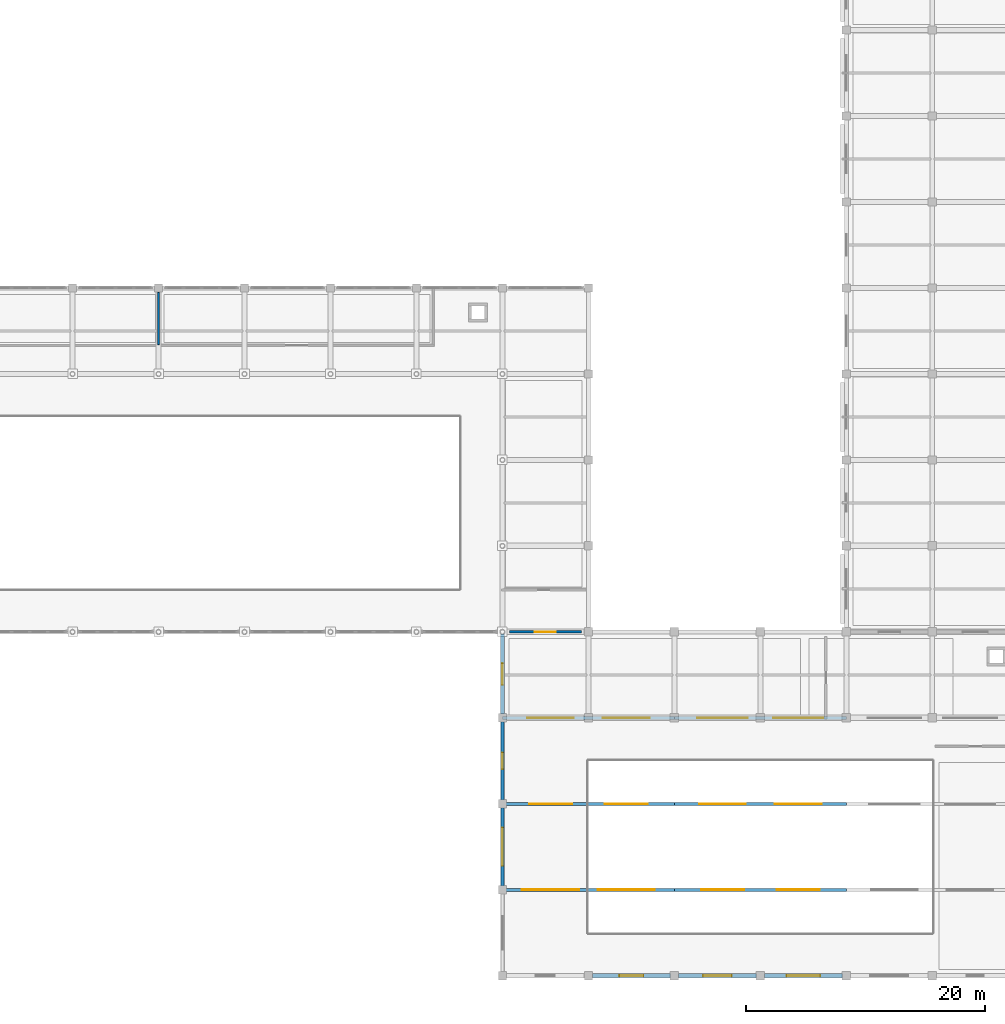
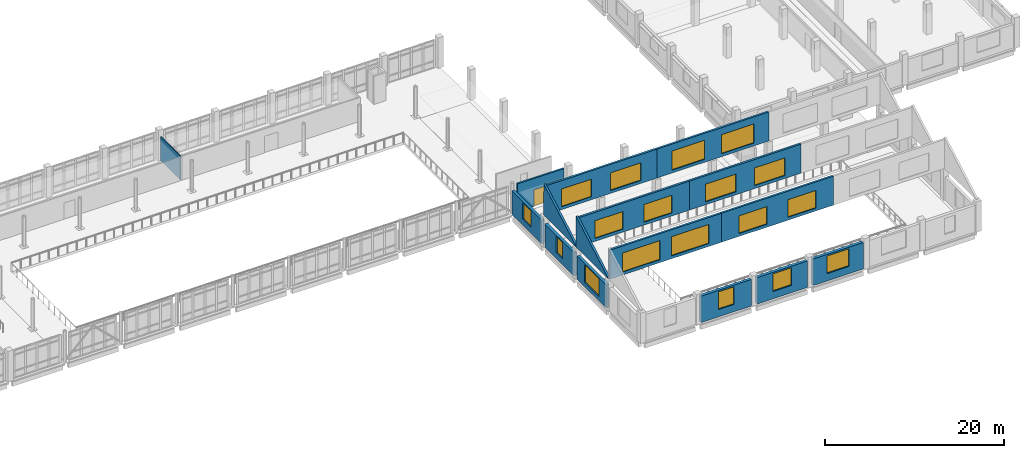
# One storey, part 40 of 62: 18 windows, 16 walls, 1 door, 19 openings.
"""IFC4 building model written with IfcOpenShell, lengths in metres."""

from ifc_helpers import new_model, si_unit, direction, frame, frame_2d, origin, place, context, subcontext, project, spatial, polyline, rectangle, outline, extrude, material, layer, layer_set, type_object, element, fill, save


model = new_model("IFC4")

# Units and contexts
model_context = context("Model", 3, precision=1e-05, world=origin(), true_north=direction((0.0, 1.0)))
body_context = subcontext(model_context, "Body", "Model", "MODEL_VIEW")
ifc_project = project(units=[si_unit("LENGTHUNIT", "METRE"), si_unit("AREAUNIT", "SQUARE_METRE"), si_unit("VOLUMEUNIT", "CUBIC_METRE"), si_unit("PLANEANGLEUNIT", "RADIAN"), si_unit("MASSUNIT", "GRAM", prefix="KILO")], contexts=[model_context])

# Site, building, storey
site_placement = place(None, origin())
site = spatial("IfcSite", under=ifc_project, at=site_placement, CompositionType="ELEMENT")
building_placement = place(site_placement, origin())
building = spatial("IfcBuilding", under=site, at=building_placement, Name="Valkovuoma Quantum and Materials Research Institute", CompositionType="ELEMENT")
storey_placement = place(building_placement, frame((0.0, 0.0, 8.9599609375)))
storey = spatial("IfcBuildingStorey", under=building, at=storey_placement, Name="L02", CompositionType="ELEMENT", Elevation=8.9599609375)

# Wall, opening, window
ifc_material_1 = material(Name="Precast concrete C40/50", Category="concrete")
ifc_layer_1 = layer(ifc_material_1, 0.360107421875)
ifc_layer_set_1 = layer_set([ifc_layer_1], Name="Precast concrete C40/50")
wall_type_1 = type_object("IfcWallType", Name="Wall-W-EXT360", PredefinedType="SOLIDWALL", material=ifc_layer_set_1)
wall_1_placement = place(storey_placement, frame((100.800048828125, 14.739990234375, 0.0), z_axis=(0.0, 0.0, 1.0), x_axis=(0.0, 1.0, 0.0)))
wall_1 = element("IfcWall", 1, at=wall_1_placement, inside=storey, type_object=wall_type_1, Name="L02 exterior wall 0109", PredefinedType="SOLIDWALL", context=body_context, shape_type="SweptSolid", body=[
    extrude(rectangle(XDim=6.52001953125, YDim=0.360107421875, at=frame_2d((3.260009765625, 0.0))), origin(), (0.0, 0.0, 1.0), 3.16015625),
])
opening_1_placement = place(wall_1_placement, frame((1.659912109375, 0.0, 0.60009765625)))
opening_1 = element("IfcOpeningElement", 2, at=opening_1_placement, cuts=wall_1, Name="Opening WN-LF05", PredefinedType="OPENING", context=body_context, shape_type="SweptSolid", body=[
    extrude(rectangle(XDim=3.199951171875, YDim=2.39990234375, at=frame_2d((1.60009765625, 1.199951171875))), frame((0.0, 0.18994140625, 0.0), z_axis=(0.0, -1.0, 0.0), x_axis=(1.0, 0.0, 0.0)), (0.0, 0.0, 1.0), 0.380126953125),
])
ifc_material_2 = material(Name="Triple low-E argon glazing in thermally broken aluminium frame", Category="aluminium")
window_type_1 = type_object("IfcWindowType", Name="Win-WN-LF05", PartitioningType="SINGLE_PANEL", PredefinedType="WINDOW", material=ifc_material_2)
window_1_placement = place(opening_1_placement, origin())
window_1 = element("IfcWindow", 3, at=window_1_placement, inside=storey, type_object=window_type_1, Name="L02 window 0098", OverallHeight=2.39990234375, OverallWidth=3.199951171875, PartitioningType="SINGLE_PANEL", PredefinedType="WINDOW", context=body_context, shape_type="SweptSolid", body=[
    extrude(rectangle(XDim=3.199951171875, YDim=2.39990234375, at=frame_2d((1.60009765625, 1.199951171875))), frame((0.0, 0.030029296875, 0.0), z_axis=(0.0, -1.0, 0.0), x_axis=(1.0, 0.0, 0.0)), (0.0, 0.0, 1.0), 0.06005859375),
])
fill(opening_1, window_1)

wall_2_placement = place(storey_placement, frame((100.800048828125, 21.93994140625, 0.0), z_axis=(0.0, 0.0, 1.0), x_axis=(0.0, 1.0, 0.0)))
wall_2 = element("IfcWall", 4, at=wall_2_placement, inside=storey, type_object=wall_type_1, Name="L02 exterior wall 0110", PredefinedType="SOLIDWALL", context=body_context, shape_type="SweptSolid", body=[
    extrude(rectangle(XDim=6.52001953125, YDim=0.360107421875, at=frame_2d((3.260009765625, 0.0))), origin(), (0.0, 0.0, 1.0), 3.16015625),
])
opening_2_placement = place(wall_2_placement, frame((2.56005859375, 0.0, 0.800048828125)))
opening_2 = element("IfcOpeningElement", 5, at=opening_2_placement, cuts=wall_2, Name="Opening WN-LF06", PredefinedType="OPENING", context=body_context, shape_type="SweptSolid", body=[
    extrude(rectangle(XDim=1.39990234375, YDim=2.199951171875, at=frame_2d((0.699951171875, 1.10009765625))), frame((0.0, 0.18994140625, 0.0), z_axis=(0.0, -1.0, 0.0), x_axis=(1.0, 0.0, 0.0)), (0.0, 0.0, 1.0), 0.380126953125),
])
ifc_material_3 = material(Name="Triple low-E argon glazing in thermally broken aluminium frame", Category="aluminium")
window_type_2 = type_object("IfcWindowType", Name="Win-WN-LF06", PartitioningType="SINGLE_PANEL", PredefinedType="WINDOW", material=ifc_material_3)
window_2_placement = place(opening_2_placement, origin())
window_2 = element("IfcWindow", 6, at=window_2_placement, inside=storey, type_object=window_type_2, Name="L02 window 0099", OverallHeight=2.199951171875, OverallWidth=1.39990234375, PartitioningType="SINGLE_PANEL", PredefinedType="WINDOW", context=body_context, shape_type="SweptSolid", body=[
    extrude(rectangle(XDim=1.39990234375, YDim=2.199951171875, at=frame_2d((0.699951171875, 1.10009765625))), frame((0.0, 0.030029296875, 0.0), z_axis=(0.0, -1.0, 0.0), x_axis=(1.0, 0.0, 0.0)), (0.0, 0.0, 1.0), 0.06005859375),
])
fill(opening_2, window_2)

wall_3_placement = place(storey_placement, frame((100.800048828125, 29.139892578125, 0.0), z_axis=(0.0, 0.0, 1.0), x_axis=(0.0, 1.0, 0.0)))
wall_3 = element("IfcWall", 7, at=wall_3_placement, inside=storey, type_object=wall_type_1, Name="L02 exterior wall 0111", PredefinedType="SOLIDWALL", context=body_context, shape_type="SweptSolid", body=[
    extrude(rectangle(XDim=6.6669921875, YDim=0.360107421875, at=frame_2d((3.33349609375, 0.0))), origin(), (0.0, 0.0, 1.0), 3.2099609375),
])
opening_3_placement = place(wall_3_placement, frame((2.433349609375, 0.0, 0.85009765625)))
opening_3 = element("IfcOpeningElement", 8, at=opening_3_placement, cuts=wall_3, Name="Opening WN-LF07", PredefinedType="OPENING", context=body_context, shape_type="SweptSolid", body=[
    extrude(rectangle(XDim=1.800048828125, YDim=2.199951171875, at=frame_2d((0.89990234375, 1.10009765625))), frame((0.0, 0.18994140625, 0.0), z_axis=(0.0, -1.0, 0.0), x_axis=(1.0, 0.0, 0.0)), (0.0, 0.0, 1.0), 0.380126953125),
])
ifc_material_4 = material(Name="Triple low-E argon glazing in thermally broken aluminium frame", Category="aluminium")
window_type_3 = type_object("IfcWindowType", Name="Win-WN-LF07", PartitioningType="SINGLE_PANEL", PredefinedType="WINDOW", material=ifc_material_4)
window_3_placement = place(opening_3_placement, origin())
window_3 = element("IfcWindow", 9, at=window_3_placement, inside=storey, type_object=window_type_3, Name="L02 window 0100", OverallHeight=2.199951171875, OverallWidth=1.800048828125, PartitioningType="SINGLE_PANEL", PredefinedType="WINDOW", context=body_context, shape_type="SweptSolid", body=[
    extrude(rectangle(XDim=1.800048828125, YDim=2.199951171875, at=frame_2d((0.89990234375, 1.10009765625))), frame((0.0, 0.030029296875, 0.0), z_axis=(0.0, -1.0, 0.0), x_axis=(1.0, 0.0, 0.0)), (0.0, 0.0, 1.0), 0.06005859375),
])
fill(opening_3, window_3)

ifc_material_5 = material(Name="Precast concrete C40/50", Category="concrete")
ifc_layer_2 = layer(ifc_material_5, 0.3798828125)
ifc_layer_set_2 = layer_set([ifc_layer_2], Name="Precast concrete C40/50")
wall_type_2 = type_object("IfcWallType", Name="Wall-W-EXT380", PredefinedType="SOLIDWALL", material=ifc_layer_set_2)
wall_4_placement = place(storey_placement, frame((108.340087890625, 7.199951171875, 0.0), z_axis=(0.0, 0.0, 1.0), x_axis=(1.0, 0.0, 0.0)))
wall_4 = element("IfcWall", 10, at=wall_4_placement, inside=storey, type_object=wall_type_2, Name="L02 exterior wall 0103", PredefinedType="SOLIDWALL", context=body_context, shape_type="SweptSolid", body=[
    extrude(rectangle(XDim=6.52001953125, YDim=0.3798828125, at=frame_2d((3.260009765625, 0.0))), origin(), (0.0, 0.0, 1.0), 3.610107421875),
])
opening_4_placement = place(wall_4_placement, frame((2.260009765625, 0.0, 1.0)))
opening_4 = element("IfcOpeningElement", 11, at=opening_4_placement, cuts=wall_4, Name="Opening WN-LF02", PredefinedType="OPENING", context=body_context, shape_type="SweptSolid", body=[
    extrude(rectangle(XDim=2.0, YDim=2.39990234375, at=frame_2d((1.0, 1.199951171875))), frame((0.0, 0.199951171875, 0.0), z_axis=(0.0, -1.0, 0.0), x_axis=(1.0, 0.0, 0.0)), (0.0, 0.0, 1.0), 0.39990234375),
])
ifc_material_6 = material(Name="Triple low-E argon glazing in thermally broken aluminium frame", Category="aluminium")
window_type_4 = type_object("IfcWindowType", Name="Win-WN-LF02", PartitioningType="SINGLE_PANEL", PredefinedType="WINDOW", material=ifc_material_6)
window_4_placement = place(opening_4_placement, origin())
window_4 = element("IfcWindow", 12, at=window_4_placement, inside=storey, type_object=window_type_4, Name="L02 window 0092", OverallHeight=2.39990234375, OverallWidth=2.0, PartitioningType="SINGLE_PANEL", PredefinedType="WINDOW", context=body_context, shape_type="SweptSolid", body=[
    extrude(rectangle(XDim=2.0, YDim=2.39990234375, at=frame_2d((1.0, 1.199951171875))), frame((0.0, 0.030029296875, 0.0), z_axis=(0.0, -1.0, 0.0), x_axis=(1.0, 0.0, 0.0)), (0.0, 0.0, 1.0), 0.06005859375),
])
fill(opening_4, window_4)

wall_5_placement = place(storey_placement, frame((115.5400390625, 7.199951171875, 0.0), z_axis=(0.0, 0.0, 1.0), x_axis=(1.0, 0.0, 0.0)))
wall_5 = element("IfcWall", 13, at=wall_5_placement, inside=storey, type_object=wall_type_2, Name="L02 exterior wall 0104", PredefinedType="SOLIDWALL", context=body_context, shape_type="SweptSolid", body=[
    extrude(rectangle(XDim=6.52001953125, YDim=0.3798828125, at=frame_2d((3.260009765625, 0.0))), origin(), (0.0, 0.0, 1.0), 3.610107421875),
])
opening_5_placement = place(wall_5_placement, frame((2.06005859375, 0.0, 1.0)))
opening_5 = element("IfcOpeningElement", 14, at=opening_5_placement, cuts=wall_5, Name="Opening WN-LF03", PredefinedType="OPENING", context=body_context, shape_type="SweptSolid", body=[
    extrude(rectangle(XDim=2.39990234375, YDim=2.39990234375, at=frame_2d((1.199951171875, 1.199951171875))), frame((0.0, 0.199951171875, 0.0), z_axis=(0.0, -1.0, 0.0), x_axis=(1.0, 0.0, 0.0)), (0.0, 0.0, 1.0), 0.39990234375),
])
ifc_material_7 = material(Name="Triple low-E argon glazing in thermally broken aluminium frame", Category="aluminium")
window_type_5 = type_object("IfcWindowType", Name="Win-WN-LF03", PartitioningType="SINGLE_PANEL", PredefinedType="WINDOW", material=ifc_material_7)
window_5_placement = place(opening_5_placement, origin())
window_5 = element("IfcWindow", 15, at=window_5_placement, inside=storey, type_object=window_type_5, Name="L02 window 0093", OverallHeight=2.39990234375, OverallWidth=2.39990234375, PartitioningType="SINGLE_PANEL", PredefinedType="WINDOW", context=body_context, shape_type="SweptSolid", body=[
    extrude(rectangle(XDim=2.39990234375, YDim=2.39990234375, at=frame_2d((1.199951171875, 1.199951171875))), frame((0.0, 0.030029296875, 0.0), z_axis=(0.0, -1.0, 0.0), x_axis=(1.0, 0.0, 0.0)), (0.0, 0.0, 1.0), 0.06005859375),
])
fill(opening_5, window_5)

wall_6_placement = place(storey_placement, frame((122.739990234375, 7.199951171875, 0.0), z_axis=(0.0, 0.0, 1.0), x_axis=(1.0, 0.0, 0.0)))
wall_6 = element("IfcWall", 16, at=wall_6_placement, inside=storey, type_object=wall_type_2, Name="L02 exterior wall 0105", PredefinedType="SOLIDWALL", context=body_context, shape_type="SweptSolid", body=[
    extrude(rectangle(XDim=6.52001953125, YDim=0.3798828125, at=frame_2d((3.260009765625, 0.0))), origin(), (0.0, 0.0, 1.0), 3.610107421875),
])
opening_6_placement = place(wall_6_placement, frame((1.860107421875, 0.0, 1.0)))
opening_6 = element("IfcOpeningElement", 17, at=opening_6_placement, cuts=wall_6, Name="Opening WN-LF04", PredefinedType="OPENING", context=body_context, shape_type="SweptSolid", body=[
    extrude(rectangle(XDim=2.800048828125, YDim=2.39990234375, at=frame_2d((1.39990234375, 1.199951171875))), frame((0.0, 0.199951171875, 0.0), z_axis=(0.0, -1.0, 0.0), x_axis=(1.0, 0.0, 0.0)), (0.0, 0.0, 1.0), 0.39990234375),
])
ifc_material_8 = material(Name="Triple low-E argon glazing in thermally broken aluminium frame", Category="aluminium")
window_type_6 = type_object("IfcWindowType", Name="Win-WN-LF04", PartitioningType="SINGLE_PANEL", PredefinedType="WINDOW", material=ifc_material_8)
window_6_placement = place(opening_6_placement, origin())
window_6 = element("IfcWindow", 18, at=window_6_placement, inside=storey, type_object=window_type_6, Name="L02 window 0094", OverallHeight=2.39990234375, OverallWidth=2.800048828125, PartitioningType="SINGLE_PANEL", PredefinedType="WINDOW", context=body_context, shape_type="SweptSolid", body=[
    extrude(rectangle(XDim=2.800048828125, YDim=2.39990234375, at=frame_2d((1.39990234375, 1.199951171875))), frame((0.0, 0.030029296875, 0.0), z_axis=(0.0, -1.0, 0.0), x_axis=(1.0, 0.0, 0.0)), (0.0, 0.0, 1.0), 0.06005859375),
])
fill(opening_6, window_6)

# Wall, opening, door
ifc_material_9 = material(Name="Concrete C40/50", Category="concrete")
ifc_layer_3 = layer(ifc_material_9, 0.219970703125)
ifc_layer_set_3 = layer_set([ifc_layer_3], Name="Concrete C40/50")
wall_type_3 = type_object("IfcWallType", Name="Wall-W-FFL220", PredefinedType="SOLIDWALL", material=ifc_layer_set_3)
wall_7_placement = place(storey_placement, frame((101.39990234375, 36.0, 0.0), z_axis=(0.0, 0.0, 1.0), x_axis=(1.0, 0.0, 0.0)))
wall_7 = element("IfcWall", 19, at=wall_7_placement, inside=storey, type_object=wall_type_3, Name="L02 core wall 0300", PredefinedType="SOLIDWALL", context=body_context, shape_type="SweptSolid", body=[
    extrude(rectangle(XDim=6.0, YDim=0.219970703125, at=frame_2d((3.0, 0.0))), origin(), (0.0, 0.0, 1.0), 3.81005859375),
])
opening_7_placement = place(wall_7_placement, frame((2.125, 0.0, 0.0)))
opening_7 = element("IfcOpeningElement", 20, at=opening_7_placement, cuts=wall_7, Name="Opening LDK-049", PredefinedType="OPENING", context=body_context, shape_type="SweptSolid", body=[
    extrude(rectangle(XDim=1.75, YDim=2.25, at=frame_2d((0.875, 1.125))), frame((0.0, 0.1201171875, 0.0), z_axis=(0.0, -1.0, 0.0), x_axis=(1.0, 0.0, 0.0)), (0.0, 0.0, 1.0), 0.239990234375),
])
ifc_material_10 = material(Name="Powder-coated steel and acoustic timber door assembly", Category="steel")
door_type = type_object("IfcDoorType", Name="Door-DR-SM04", OperationType="NOTDEFINED", PredefinedType="DOOR", material=ifc_material_10)
door_placement = place(opening_7_placement, origin())
door = element("IfcDoor", 21, at=door_placement, inside=storey, type_object=door_type, Name="L02 lecture-atrium link door", OperationType="DOUBLE_DOOR_SINGLE_SWING", OverallHeight=2.25, OverallWidth=1.75, PredefinedType="DOOR", context=body_context, shape_type="SweptSolid", body=[
    extrude(rectangle(XDim=1.75, YDim=2.25, at=frame_2d((0.875, 1.125))), frame((0.0, 0.02490234375, 0.0), z_axis=(0.0, -1.0, 0.0), x_axis=(1.0, 0.0, 0.0)), (0.0, 0.0, 1.0), 0.050048828125),
])
fill(opening_7, door)

# Wall, openings, windows
ifc_material_11 = material(Name="Precast concrete C40/50", Category="concrete")
ifc_layer_4 = layer(ifc_material_11, 0.260009765625)
ifc_layer_set_4 = layer_set([ifc_layer_4], Name="Precast concrete C40/50")
wall_type_4 = type_object("IfcWallType", Name="Wall-W-GAB260", PredefinedType="SOLIDWALL", material=ifc_layer_set_4)
wall_8_placement = place(storey_placement, frame((100.800048828125, 14.39990234375, 4.16015625), z_axis=(0.0, 0.0, 1.0), x_axis=(1.0, 0.0, 0.0)))
wall_8 = element("IfcWall", 22, at=wall_8_placement, inside=storey, type_object=wall_type_4, Name="L02 exterior wall 0385", PredefinedType="SOLIDWALL", context=body_context, shape_type="SweptSolid", body=[
    extrude(rectangle(XDim=14.39990234375, YDim=0.260009765625, at=frame_2d((7.199951171875, 0.0))), origin(), (0.0, 0.0, 1.0), 3.949951171875),
])
opening_8_placement = place(wall_8_placement, frame((1.632080078125, 0.0, 0.39990234375)))
opening_8 = element("IfcOpeningElement", 23, at=opening_8_placement, cuts=wall_8, Name="Opening SKY-03", PredefinedType="OPENING", context=body_context, shape_type="SweptSolid", body=[
    extrude(rectangle(XDim=4.800048828125, YDim=2.60009765625, at=frame_2d((2.39990234375, 1.300048828125))), frame((0.0, 0.14013671875, 0.0), z_axis=(0.0, -1.0, 0.0), x_axis=(1.0, 0.0, 0.0)), (0.0, 0.0, 1.0), 0.280029296875),
])
opening_9_placement = place(wall_8_placement, frame((7.968017578125, 0.0, 0.39990234375)))
opening_9 = element("IfcOpeningElement", 24, at=opening_9_placement, cuts=wall_8, Name="Opening SKY-03", PredefinedType="OPENING", context=body_context, shape_type="SweptSolid", body=[
    extrude(rectangle(XDim=4.800048828125, YDim=2.60009765625, at=frame_2d((2.39990234375, 1.300048828125))), frame((0.0, 0.14013671875, 0.0), z_axis=(0.0, -1.0, 0.0), x_axis=(1.0, 0.0, 0.0)), (0.0, 0.0, 1.0), 0.280029296875),
])
ifc_material_12 = material(Name="Triple low-E laminated safety glass skylight", Category="glass")
window_type_7 = type_object("IfcWindowType", Name="Win-SKY-03", PartitioningType="SINGLE_PANEL", PredefinedType="SKYLIGHT", material=ifc_material_12)
window_7_placement = place(opening_8_placement, origin())
window_7 = element("IfcWindow", 25, at=window_7_placement, inside=storey, type_object=window_type_7, Name="L02 window 0379", OverallHeight=2.60009765625, OverallWidth=4.800048828125, PartitioningType="SINGLE_PANEL", PredefinedType="SKYLIGHT", context=body_context, shape_type="SweptSolid", body=[
    extrude(rectangle(XDim=4.800048828125, YDim=2.60009765625, at=frame_2d((2.39990234375, 1.300048828125))), frame((0.0, 0.030029296875, 0.0), z_axis=(0.0, -1.0, 0.0), x_axis=(1.0, 0.0, 0.0)), (0.0, 0.0, 1.0), 0.06005859375),
])
fill(opening_8, window_7)
window_8_placement = place(opening_9_placement, origin())
window_8 = element("IfcWindow", 26, at=window_8_placement, inside=storey, type_object=window_type_7, Name="L02 window 0380", OverallHeight=2.60009765625, OverallWidth=4.800048828125, PartitioningType="SINGLE_PANEL", PredefinedType="SKYLIGHT", context=body_context, shape_type="SweptSolid", body=[
    extrude(rectangle(XDim=4.800048828125, YDim=2.60009765625, at=frame_2d((2.39990234375, 1.300048828125))), frame((0.0, 0.030029296875, 0.0), z_axis=(0.0, -1.0, 0.0), x_axis=(1.0, 0.0, 0.0)), (0.0, 0.0, 1.0), 0.06005859375),
])
fill(opening_9, window_8)

wall_9_placement = place(storey_placement, frame((115.199951171875, 14.39990234375, 4.16015625), z_axis=(0.0, 0.0, 1.0), x_axis=(1.0, 0.0, 0.0)))
wall_9 = element("IfcWall", 27, at=wall_9_placement, inside=storey, type_object=wall_type_4, Name="L02 exterior wall 0386", PredefinedType="SOLIDWALL", context=body_context, shape_type="SweptSolid", body=[
    extrude(rectangle(XDim=14.400146484375, YDim=0.260009765625, at=frame_2d((7.2001953125, 0.0))), origin(), (0.0, 0.0, 1.0), 3.949951171875),
])
opening_10_placement = place(wall_9_placement, frame((2.23193359375, 0.0, 0.39990234375)))
opening_10 = element("IfcOpeningElement", 28, at=opening_10_placement, cuts=wall_9, Name="Opening SKY-04", PredefinedType="OPENING", context=body_context, shape_type="SweptSolid", body=[
    extrude(rectangle(XDim=3.60009765625, YDim=2.39990234375, at=frame_2d((1.800048828125, 1.199951171875))), frame((0.0, 0.14013671875, 0.0), z_axis=(0.0, -1.0, 0.0), x_axis=(1.0, 0.0, 0.0)), (0.0, 0.0, 1.0), 0.280029296875),
])
opening_11_placement = place(wall_9_placement, frame((8.568115234375, 0.0, 0.39990234375)))
opening_11 = element("IfcOpeningElement", 29, at=opening_11_placement, cuts=wall_9, Name="Opening SKY-04", PredefinedType="OPENING", context=body_context, shape_type="SweptSolid", body=[
    extrude(rectangle(XDim=3.60009765625, YDim=2.39990234375, at=frame_2d((1.800048828125, 1.199951171875))), frame((0.0, 0.14013671875, 0.0), z_axis=(0.0, -1.0, 0.0), x_axis=(1.0, 0.0, 0.0)), (0.0, 0.0, 1.0), 0.280029296875),
])
ifc_material_13 = material(Name="Triple low-E laminated safety glass skylight", Category="glass")
window_type_8 = type_object("IfcWindowType", Name="Win-SKY-04", PartitioningType="SINGLE_PANEL", PredefinedType="SKYLIGHT", material=ifc_material_13)
window_9_placement = place(opening_10_placement, origin())
window_9 = element("IfcWindow", 30, at=window_9_placement, inside=storey, type_object=window_type_8, Name="L02 window 0381", OverallHeight=2.39990234375, OverallWidth=3.60009765625, PartitioningType="SINGLE_PANEL", PredefinedType="SKYLIGHT", context=body_context, shape_type="SweptSolid", body=[
    extrude(rectangle(XDim=3.60009765625, YDim=2.39990234375, at=frame_2d((1.800048828125, 1.199951171875))), frame((0.0, 0.030029296875, 0.0), z_axis=(0.0, -1.0, 0.0), x_axis=(1.0, 0.0, 0.0)), (0.0, 0.0, 1.0), 0.06005859375),
])
fill(opening_10, window_9)
window_10_placement = place(opening_11_placement, origin())
window_10 = element("IfcWindow", 31, at=window_10_placement, inside=storey, type_object=window_type_8, Name="L02 window 0382", OverallHeight=2.39990234375, OverallWidth=3.60009765625, PartitioningType="SINGLE_PANEL", PredefinedType="SKYLIGHT", context=body_context, shape_type="SweptSolid", body=[
    extrude(rectangle(XDim=3.60009765625, YDim=2.39990234375, at=frame_2d((1.800048828125, 1.199951171875))), frame((0.0, 0.030029296875, 0.0), z_axis=(0.0, -1.0, 0.0), x_axis=(1.0, 0.0, 0.0)), (0.0, 0.0, 1.0), 0.06005859375),
])
fill(opening_11, window_10)

wall_10_placement = place(storey_placement, frame((100.800048828125, 21.60009765625, 4.16015625), z_axis=(0.0, 0.0, 1.0), x_axis=(1.0, 0.0, 0.0)))
wall_10 = element("IfcWall", 32, at=wall_10_placement, inside=storey, type_object=wall_type_4, Name="L02 exterior wall 0390", PredefinedType="SOLIDWALL", context=body_context, shape_type="SweptSolid", body=[
    extrude(rectangle(XDim=14.39990234375, YDim=0.260009765625, at=frame_2d((7.199951171875, 0.0))), origin(), (0.0, 0.0, 1.0), 3.949951171875),
])
opening_12_placement = place(wall_10_placement, frame((2.23193359375, 0.0, 0.39990234375)))
opening_12 = element("IfcOpeningElement", 33, at=opening_12_placement, cuts=wall_10, Name="Opening SKY-04", PredefinedType="OPENING", context=body_context, shape_type="SweptSolid", body=[
    extrude(rectangle(XDim=3.60009765625, YDim=2.39990234375, at=frame_2d((1.800048828125, 1.199951171875))), frame((0.0, 0.14013671875, 0.0), z_axis=(0.0, -1.0, 0.0), x_axis=(1.0, 0.0, 0.0)), (0.0, 0.0, 1.0), 0.280029296875),
])
opening_13_placement = place(wall_10_placement, frame((8.568115234375, 0.0, 0.39990234375)))
opening_13 = element("IfcOpeningElement", 34, at=opening_13_placement, cuts=wall_10, Name="Opening SKY-04", PredefinedType="OPENING", context=body_context, shape_type="SweptSolid", body=[
    extrude(rectangle(XDim=3.60009765625, YDim=2.39990234375, at=frame_2d((1.800048828125, 1.199951171875))), frame((0.0, 0.14013671875, 0.0), z_axis=(0.0, -1.0, 0.0), x_axis=(1.0, 0.0, 0.0)), (0.0, 0.0, 1.0), 0.280029296875),
])
window_11_placement = place(opening_12_placement, origin())
window_11 = element("IfcWindow", 35, at=window_11_placement, inside=storey, type_object=window_type_8, Name="L02 window 0385", OverallHeight=2.39990234375, OverallWidth=3.60009765625, PartitioningType="SINGLE_PANEL", PredefinedType="SKYLIGHT", context=body_context, shape_type="SweptSolid", body=[
    extrude(rectangle(XDim=3.60009765625, YDim=2.39990234375, at=frame_2d((1.800048828125, 1.199951171875))), frame((0.0, 0.030029296875, 0.0), z_axis=(0.0, -1.0, 0.0), x_axis=(1.0, 0.0, 0.0)), (0.0, 0.0, 1.0), 0.06005859375),
])
fill(opening_12, window_11)
window_12_placement = place(opening_13_placement, origin())
window_12 = element("IfcWindow", 36, at=window_12_placement, inside=storey, type_object=window_type_8, Name="L02 window 0386", OverallHeight=2.39990234375, OverallWidth=3.60009765625, PartitioningType="SINGLE_PANEL", PredefinedType="SKYLIGHT", context=body_context, shape_type="SweptSolid", body=[
    extrude(rectangle(XDim=3.60009765625, YDim=2.39990234375, at=frame_2d((1.800048828125, 1.199951171875))), frame((0.0, 0.030029296875, 0.0), z_axis=(0.0, -1.0, 0.0), x_axis=(1.0, 0.0, 0.0)), (0.0, 0.0, 1.0), 0.06005859375),
])
fill(opening_13, window_12)

wall_11_placement = place(storey_placement, frame((115.199951171875, 21.60009765625, 4.16015625), z_axis=(0.0, 0.0, 1.0), x_axis=(1.0, 0.0, 0.0)))
wall_11 = element("IfcWall", 37, at=wall_11_placement, inside=storey, type_object=wall_type_4, Name="L02 exterior wall 0391", PredefinedType="SOLIDWALL", context=body_context, shape_type="SweptSolid", body=[
    extrude(rectangle(XDim=14.400146484375, YDim=0.260009765625, at=frame_2d((7.2001953125, 0.0))), origin(), (0.0, 0.0, 1.0), 3.949951171875),
])
opening_14_placement = place(wall_11_placement, frame((2.08203125, 0.0, 0.39990234375)))
opening_14 = element("IfcOpeningElement", 38, at=opening_14_placement, cuts=wall_11, Name="Opening SKY-05", PredefinedType="OPENING", context=body_context, shape_type="SweptSolid", body=[
    extrude(rectangle(XDim=3.89990234375, YDim=2.39990234375, at=frame_2d((1.949951171875, 1.199951171875))), frame((0.0, 0.14013671875, 0.0), z_axis=(0.0, -1.0, 0.0), x_axis=(1.0, 0.0, 0.0)), (0.0, 0.0, 1.0), 0.280029296875),
])
opening_15_placement = place(wall_11_placement, frame((8.41796875, 0.0, 0.39990234375)))
opening_15 = element("IfcOpeningElement", 39, at=opening_15_placement, cuts=wall_11, Name="Opening SKY-05", PredefinedType="OPENING", context=body_context, shape_type="SweptSolid", body=[
    extrude(rectangle(XDim=3.89990234375, YDim=2.39990234375, at=frame_2d((1.949951171875, 1.199951171875))), frame((0.0, 0.14013671875, 0.0), z_axis=(0.0, -1.0, 0.0), x_axis=(1.0, 0.0, 0.0)), (0.0, 0.0, 1.0), 0.280029296875),
])
ifc_material_14 = material(Name="Triple low-E laminated safety glass skylight", Category="glass")
window_type_9 = type_object("IfcWindowType", Name="Win-SKY-05", PartitioningType="SINGLE_PANEL", PredefinedType="SKYLIGHT", material=ifc_material_14)
window_13_placement = place(opening_14_placement, origin())
window_13 = element("IfcWindow", 40, at=window_13_placement, inside=storey, type_object=window_type_9, Name="L02 window 0387", OverallHeight=2.39990234375, OverallWidth=3.89990234375, PartitioningType="SINGLE_PANEL", PredefinedType="SKYLIGHT", context=body_context, shape_type="SweptSolid", body=[
    extrude(rectangle(XDim=3.89990234375, YDim=2.39990234375, at=frame_2d((1.949951171875, 1.199951171875))), frame((0.0, 0.030029296875, 0.0), z_axis=(0.0, -1.0, 0.0), x_axis=(1.0, 0.0, 0.0)), (0.0, 0.0, 1.0), 0.06005859375),
])
fill(opening_14, window_13)
window_14_placement = place(opening_15_placement, origin())
window_14 = element("IfcWindow", 41, at=window_14_placement, inside=storey, type_object=window_type_9, Name="L02 window 0388", OverallHeight=2.39990234375, OverallWidth=3.89990234375, PartitioningType="SINGLE_PANEL", PredefinedType="SKYLIGHT", context=body_context, shape_type="SweptSolid", body=[
    extrude(rectangle(XDim=3.89990234375, YDim=2.39990234375, at=frame_2d((1.949951171875, 1.199951171875))), frame((0.0, 0.030029296875, 0.0), z_axis=(0.0, -1.0, 0.0), x_axis=(1.0, 0.0, 0.0)), (0.0, 0.0, 1.0), 0.06005859375),
])
fill(opening_15, window_14)

# Wall
wall_12_placement = place(storey_placement, frame((100.800048828125, 14.39990234375, 4.16015625), z_axis=(0.0, 0.0, 1.0), x_axis=(0.0, 1.0, 0.0)))
element("IfcWall", 42, at=wall_12_placement, inside=storey, type_object=wall_type_4, Name="L02 VOL1 sawtooth cheek wall 2W", PredefinedType="SOLIDWALL", context=body_context, shape_type="SweptSolid", body=[
    extrude(outline(polyline([(0.0, 0.0), (7.2001953125, 0.0), (7.199951171875, 0.119873046875), (7.159912109375, 4.199951171875), (0.0, 0.119873046875), (0.0, 0.0)])), frame((0.0, 0.1298828125, 0.0), z_axis=(0.0, -1.0, 0.0), x_axis=(1.0, 0.0, 0.0)), (0.0, 0.0, 1.0), 0.260009765625),
])

# Wall, openings, windows
wall_13_placement = place(storey_placement, frame((100.800048828125, 28.800048828125, 4.16015625), z_axis=(0.0, 0.0, 1.0), x_axis=(1.0, 0.0, 0.0)))
wall_13 = element("IfcWall", 43, at=wall_13_placement, inside=storey, type_object=wall_type_4, Name="L02 exterior wall 0395", PredefinedType="SOLIDWALL", context=body_context, shape_type="SweptSolid", body=[
    extrude(rectangle(XDim=14.39990234375, YDim=0.260009765625, at=frame_2d((7.199951171875, 0.0))), origin(), (0.0, 0.0, 1.0), 3.949951171875),
])
opening_16_placement = place(wall_13_placement, frame((2.08203125, 0.0, 0.39990234375)))
opening_16 = element("IfcOpeningElement", 44, at=opening_16_placement, cuts=wall_13, Name="Opening SKY-05", PredefinedType="OPENING", context=body_context, shape_type="SweptSolid", body=[
    extrude(rectangle(XDim=3.89990234375, YDim=2.39990234375, at=frame_2d((1.949951171875, 1.199951171875))), frame((0.0, 0.14013671875, 0.0), z_axis=(0.0, -1.0, 0.0), x_axis=(1.0, 0.0, 0.0)), (0.0, 0.0, 1.0), 0.280029296875),
])
opening_17_placement = place(wall_13_placement, frame((8.41796875, 0.0, 0.39990234375)))
opening_17 = element("IfcOpeningElement", 45, at=opening_17_placement, cuts=wall_13, Name="Opening SKY-05", PredefinedType="OPENING", context=body_context, shape_type="SweptSolid", body=[
    extrude(rectangle(XDim=3.89990234375, YDim=2.39990234375, at=frame_2d((1.949951171875, 1.199951171875))), frame((0.0, 0.14013671875, 0.0), z_axis=(0.0, -1.0, 0.0), x_axis=(1.0, 0.0, 0.0)), (0.0, 0.0, 1.0), 0.280029296875),
])
window_15_placement = place(opening_16_placement, origin())
window_15 = element("IfcWindow", 46, at=window_15_placement, inside=storey, type_object=window_type_9, Name="L02 window 0391", OverallHeight=2.39990234375, OverallWidth=3.89990234375, PartitioningType="SINGLE_PANEL", PredefinedType="SKYLIGHT", context=body_context, shape_type="SweptSolid", body=[
    extrude(rectangle(XDim=3.89990234375, YDim=2.39990234375, at=frame_2d((1.949951171875, 1.199951171875))), frame((0.0, 0.030029296875, 0.0), z_axis=(0.0, -1.0, 0.0), x_axis=(1.0, 0.0, 0.0)), (0.0, 0.0, 1.0), 0.06005859375),
])
fill(opening_16, window_15)
window_16_placement = place(opening_17_placement, origin())
window_16 = element("IfcWindow", 47, at=window_16_placement, inside=storey, type_object=window_type_9, Name="L02 window 0392", OverallHeight=2.39990234375, OverallWidth=3.89990234375, PartitioningType="SINGLE_PANEL", PredefinedType="SKYLIGHT", context=body_context, shape_type="SweptSolid", body=[
    extrude(rectangle(XDim=3.89990234375, YDim=2.39990234375, at=frame_2d((1.949951171875, 1.199951171875))), frame((0.0, 0.030029296875, 0.0), z_axis=(0.0, -1.0, 0.0), x_axis=(1.0, 0.0, 0.0)), (0.0, 0.0, 1.0), 0.06005859375),
])
fill(opening_17, window_16)

wall_14_placement = place(storey_placement, frame((115.199951171875, 28.800048828125, 4.16015625), z_axis=(0.0, 0.0, 1.0), x_axis=(1.0, 0.0, 0.0)))
wall_14 = element("IfcWall", 48, at=wall_14_placement, inside=storey, type_object=wall_type_4, Name="L02 exterior wall 0396", PredefinedType="SOLIDWALL", context=body_context, shape_type="SweptSolid", body=[
    extrude(rectangle(XDim=14.400146484375, YDim=0.260009765625, at=frame_2d((7.2001953125, 0.0))), origin(), (0.0, 0.0, 1.0), 3.949951171875),
])
opening_18_placement = place(wall_14_placement, frame((1.931884765625, 0.0, 0.39990234375)))
opening_18 = element("IfcOpeningElement", 49, at=opening_18_placement, cuts=wall_14, Name="Opening SKY-01", PredefinedType="OPENING", context=body_context, shape_type="SweptSolid", body=[
    extrude(rectangle(XDim=4.199951171875, YDim=2.60009765625, at=frame_2d((2.10009765625, 1.300048828125))), frame((0.0, 0.14013671875, 0.0), z_axis=(0.0, -1.0, 0.0), x_axis=(1.0, 0.0, 0.0)), (0.0, 0.0, 1.0), 0.280029296875),
])
opening_19_placement = place(wall_14_placement, frame((8.26806640625, 0.0, 0.39990234375)))
opening_19 = element("IfcOpeningElement", 50, at=opening_19_placement, cuts=wall_14, Name="Opening SKY-01", PredefinedType="OPENING", context=body_context, shape_type="SweptSolid", body=[
    extrude(rectangle(XDim=4.199951171875, YDim=2.60009765625, at=frame_2d((2.10009765625, 1.300048828125))), frame((0.0, 0.14013671875, 0.0), z_axis=(0.0, -1.0, 0.0), x_axis=(1.0, 0.0, 0.0)), (0.0, 0.0, 1.0), 0.280029296875),
])
ifc_material_15 = material(Name="Triple low-E laminated safety glass skylight", Category="glass")
window_type_10 = type_object("IfcWindowType", Name="Win-SKY-01", PartitioningType="SINGLE_PANEL", PredefinedType="SKYLIGHT", material=ifc_material_15)
window_17_placement = place(opening_18_placement, origin())
window_17 = element("IfcWindow", 51, at=window_17_placement, inside=storey, type_object=window_type_10, Name="L02 window 0393", OverallHeight=2.60009765625, OverallWidth=4.199951171875, PartitioningType="SINGLE_PANEL", PredefinedType="SKYLIGHT", context=body_context, shape_type="SweptSolid", body=[
    extrude(rectangle(XDim=4.199951171875, YDim=2.60009765625, at=frame_2d((2.10009765625, 1.300048828125))), frame((0.0, 0.030029296875, 0.0), z_axis=(0.0, -1.0, 0.0), x_axis=(1.0, 0.0, 0.0)), (0.0, 0.0, 1.0), 0.06005859375),
])
fill(opening_18, window_17)
window_18_placement = place(opening_19_placement, origin())
window_18 = element("IfcWindow", 52, at=window_18_placement, inside=storey, type_object=window_type_10, Name="L02 window 0394", OverallHeight=2.60009765625, OverallWidth=4.199951171875, PartitioningType="SINGLE_PANEL", PredefinedType="SKYLIGHT", context=body_context, shape_type="SweptSolid", body=[
    extrude(rectangle(XDim=4.199951171875, YDim=2.60009765625, at=frame_2d((2.10009765625, 1.300048828125))), frame((0.0, 0.030029296875, 0.0), z_axis=(0.0, -1.0, 0.0), x_axis=(1.0, 0.0, 0.0)), (0.0, 0.0, 1.0), 0.06005859375),
])
fill(opening_19, window_18)

# Walls
wall_15_placement = place(storey_placement, frame((100.800048828125, 21.60009765625, 4.16015625), z_axis=(0.0, 0.0, 1.0), x_axis=(0.0, 1.0, 0.0)))
element("IfcWall", 53, at=wall_15_placement, inside=storey, type_object=wall_type_4, Name="L02 VOL1 sawtooth cheek wall 3W", PredefinedType="SOLIDWALL", context=body_context, shape_type="SweptSolid", body=[
    extrude(outline(polyline([(0.0, 0.0), (7.199951171875, 0.0), (7.199951171875, 0.119873046875), (7.159912109375, 4.199951171875), (0.0, 0.119873046875), (0.0, 0.0)])), frame((0.0, 0.1298828125, 0.0), z_axis=(0.0, -1.0, 0.0), x_axis=(1.0, 0.0, 0.0)), (0.0, 0.0, 1.0), 0.260009765625),
])
ifc_material_16 = material(Name="Interior office stud partition", Category="masonry")
ifc_layer_5 = layer(ifc_material_16, 0.135009765625)
ifc_layer_set_5 = layer_set([ifc_layer_5], Name="Interior office stud partition")
wall_type_5 = type_object("IfcWallType", Name="Wall-W-PRT135", PredefinedType="PARTITIONING", material=ifc_layer_set_5)
wall_16_placement = place(storey_placement, frame((72.0, 60.0673828125, 0.0), z_axis=(0.0, 0.0, 1.0), x_axis=(0.0, 1.0, 0.0)))
element("IfcWall", 54, at=wall_16_placement, inside=storey, type_object=wall_type_5, Name="L02 partition 0121", PredefinedType="PARTITIONING", context=body_context, shape_type="SweptSolid", body=[
    extrude(rectangle(XDim=4.365234375, YDim=0.135009765625, at=frame_2d((2.1826171875, 0.0))), origin(), (0.0, 0.0, 1.0), 3.260009765625),
])

save(model, "model.ifc")
